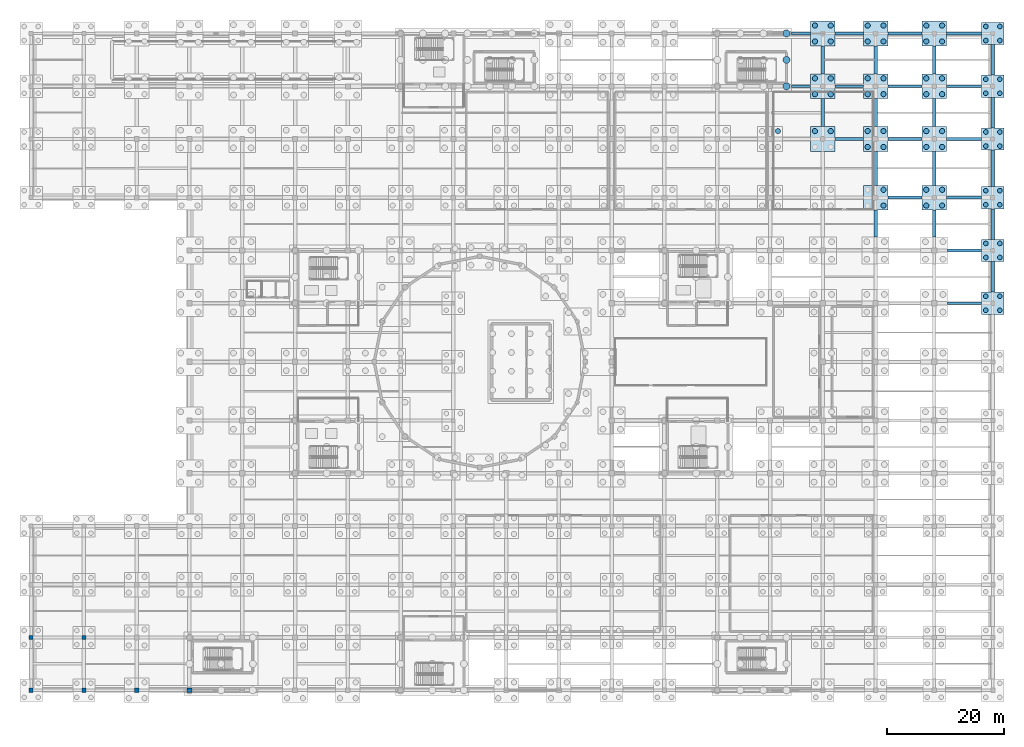
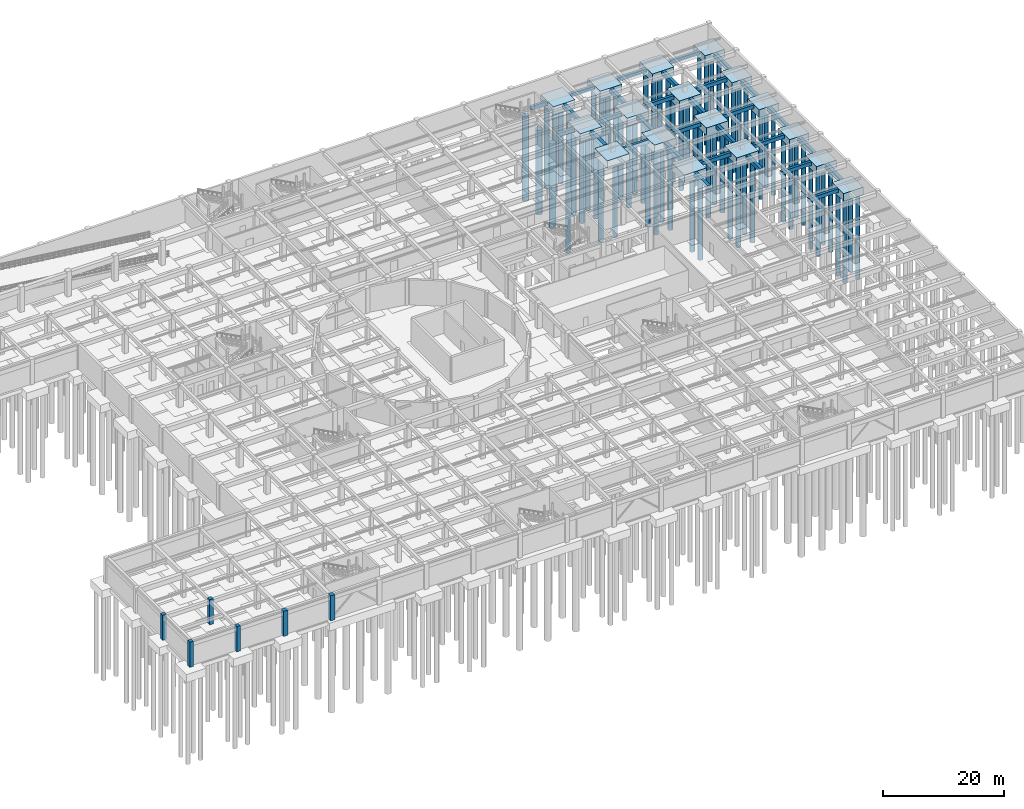
# One storey, part 11 of 62: 68 piles, 47 footings, 6 columns.
"""IFC4 building model written with IfcOpenShell, lengths in metres."""

from ifc_helpers import new_model, si_unit, direction, frame, origin, origin_2d, place, context, subcontext, project, spatial, polyline, rectangle, circle, outline, extrude, material, material_profile, profile_set, type_object, element, save


model = new_model("IFC4")

# Units and contexts
model_context = context("Model", 3, precision=1e-05, world=origin(), true_north=direction((0.0, 1.0)))
body_context = subcontext(model_context, "Body", "Model", "MODEL_VIEW")
ifc_project = project(units=[si_unit("LENGTHUNIT", "METRE"), si_unit("AREAUNIT", "SQUARE_METRE"), si_unit("VOLUMEUNIT", "CUBIC_METRE"), si_unit("PLANEANGLEUNIT", "RADIAN"), si_unit("MASSUNIT", "GRAM", prefix="KILO")], contexts=[model_context])

# Site, building, storey
site_placement = place(None, origin())
site = spatial("IfcSite", under=ifc_project, at=site_placement, CompositionType="ELEMENT")
building_placement = place(site_placement, origin())
building = spatial("IfcBuilding", under=site, at=building_placement, Name="Miravela Opera House", CompositionType="ELEMENT")
storey_placement = place(building_placement, frame((0.0, 0.0, -5.10009765625)))
storey = spatial("IfcBuildingStorey", under=building, at=storey_placement, Name="B01", CompositionType="ELEMENT", Elevation=-5.10009765625)

# Footings
ifc_material_1 = material(Name="Concrete C35/45", Category="concrete")
footing_type_1 = type_object("IfcFootingType", Name="STR-GB-500X750", PredefinedType="FOOTING_BEAM", material=ifc_material_1)
footing_1_placement = place(storey_placement, frame((0.0, 0.0, -0.75)))
element("IfcFooting", 1, at=footing_1_placement, inside=storey, type_object=footing_type_1, Name="Seismic Grade Tie Beam GB-X-286", PredefinedType="FOOTING_BEAM", context=body_context, shape_type="SweptSolid", body=[
    extrude(outline(polyline([(156.300048828125, 65.75), (162.10009765625, 65.75), (162.10009765625, 66.25), (156.300048828125, 66.25), (156.300048828125, 65.75)])), origin(), (0.0, 0.0, 1.0), 0.75),
])
footing_2_placement = place(storey_placement, frame((0.0, 0.0, -0.75)))
element("IfcFooting", 2, at=footing_2_placement, inside=storey, type_object=footing_type_1, Name="Seismic Grade Tie Beam GB-X-300", PredefinedType="FOOTING_BEAM", context=body_context, shape_type="SweptSolid", body=[
    extrude(outline(polyline([(156.300048828125, 74.75), (162.10009765625, 74.75), (162.10009765625, 75.25), (156.300048828125, 75.25), (156.300048828125, 74.75)])), origin(), (0.0, 0.0, 1.0), 0.75),
])
footing_3_placement = place(storey_placement, frame((0.0, 0.0, -0.75)))
element("IfcFooting", 3, at=footing_3_placement, inside=storey, type_object=footing_type_1, Name="Seismic Grade Tie Beam GB-X-317", PredefinedType="FOOTING_BEAM", context=body_context, shape_type="SweptSolid", body=[
    extrude(outline(polyline([(146.10009765625, 83.75), (151.89990234375, 83.75), (151.89990234375, 84.25), (146.10009765625, 84.25), (146.10009765625, 83.75)])), origin(), (0.0, 0.0, 1.0), 0.75),
])
footing_4_placement = place(storey_placement, frame((0.0, 0.0, -0.75)))
element("IfcFooting", 4, at=footing_4_placement, inside=storey, type_object=footing_type_1, Name="Seismic Grade Tie Beam GB-X-318", PredefinedType="FOOTING_BEAM", context=body_context, shape_type="SweptSolid", body=[
    extrude(outline(polyline([(156.10009765625, 83.75), (162.10009765625, 83.75), (162.10009765625, 84.25), (156.10009765625, 84.25), (156.10009765625, 83.75)])), origin(), (0.0, 0.0, 1.0), 0.75),
])
footing_5_placement = place(storey_placement, frame((0.0, 0.0, -0.75)))
element("IfcFooting", 5, at=footing_5_placement, inside=storey, type_object=footing_type_1, Name="Seismic Grade Tie Beam GB-X-334", PredefinedType="FOOTING_BEAM", context=body_context, shape_type="SweptSolid", body=[
    extrude(outline(polyline([(137.10009765625, 93.75), (141.89990234375, 93.75), (141.89990234375, 94.25), (137.10009765625, 94.25), (137.10009765625, 93.75)])), origin(), (0.0, 0.0, 1.0), 0.75),
])
footing_6_placement = place(storey_placement, frame((0.0, 0.0, -0.75)))
element("IfcFooting", 6, at=footing_6_placement, inside=storey, type_object=footing_type_1, Name="Seismic Grade Tie Beam GB-X-335", PredefinedType="FOOTING_BEAM", context=body_context, shape_type="SweptSolid", body=[
    extrude(outline(polyline([(146.10009765625, 93.75), (151.89990234375, 93.75), (151.89990234375, 94.25), (146.10009765625, 94.25), (146.10009765625, 93.75)])), origin(), (0.0, 0.0, 1.0), 0.75),
])
footing_7_placement = place(storey_placement, frame((0.0, 0.0, -0.75)))
element("IfcFooting", 7, at=footing_7_placement, inside=storey, type_object=footing_type_1, Name="Seismic Grade Tie Beam GB-X-336", PredefinedType="FOOTING_BEAM", context=body_context, shape_type="SweptSolid", body=[
    extrude(outline(polyline([(156.10009765625, 93.75), (162.10009765625, 93.75), (162.10009765625, 94.25), (156.10009765625, 94.25), (156.10009765625, 93.75)])), origin(), (0.0, 0.0, 1.0), 0.75),
])
footing_8_placement = place(storey_placement, frame((0.0, 0.0, -0.75)))
element("IfcFooting", 8, at=footing_8_placement, inside=storey, type_object=footing_type_1, Name="Seismic Grade Tie Beam GB-X-348", PredefinedType="FOOTING_BEAM", context=body_context, shape_type="SweptSolid", body=[
    extrude(outline(polyline([(129.699951171875, 102.75), (132.89990234375, 102.75), (132.89990234375, 103.25), (129.699951171875, 103.25), (129.699951171875, 102.75)])), origin(), (0.0, 0.0, 1.0), 0.75),
])
footing_9_placement = place(storey_placement, frame((0.0, 0.0, -0.75)))
element("IfcFooting", 9, at=footing_9_placement, inside=storey, type_object=footing_type_1, Name="Seismic Grade Tie Beam GB-X-349", PredefinedType="FOOTING_BEAM", context=body_context, shape_type="SweptSolid", body=[
    extrude(outline(polyline([(137.10009765625, 102.75), (141.89990234375, 102.75), (141.89990234375, 103.25), (137.10009765625, 103.25), (137.10009765625, 102.75)])), origin(), (0.0, 0.0, 1.0), 0.75),
])
footing_10_placement = place(storey_placement, frame((0.0, 0.0, -0.75)))
element("IfcFooting", 10, at=footing_10_placement, inside=storey, type_object=footing_type_1, Name="Seismic Grade Tie Beam GB-X-350", PredefinedType="FOOTING_BEAM", context=body_context, shape_type="SweptSolid", body=[
    extrude(outline(polyline([(146.10009765625, 102.75), (151.89990234375, 102.75), (151.89990234375, 103.25), (146.10009765625, 103.25), (146.10009765625, 102.75)])), origin(), (0.0, 0.0, 1.0), 0.75),
])
footing_11_placement = place(storey_placement, frame((0.0, 0.0, -0.75)))
element("IfcFooting", 11, at=footing_11_placement, inside=storey, type_object=footing_type_1, Name="Seismic Grade Tie Beam GB-X-351", PredefinedType="FOOTING_BEAM", context=body_context, shape_type="SweptSolid", body=[
    extrude(outline(polyline([(156.10009765625, 102.75), (162.10009765625, 102.75), (162.10009765625, 103.25), (156.10009765625, 103.25), (156.10009765625, 102.75)])), origin(), (0.0, 0.0, 1.0), 0.75),
])
footing_12_placement = place(storey_placement, frame((0.0, 0.0, -0.75)))
element("IfcFooting", 12, at=footing_12_placement, inside=storey, type_object=footing_type_1, Name="Seismic Grade Tie Beam GB-X-363", PredefinedType="FOOTING_BEAM", context=body_context, shape_type="SweptSolid", body=[
    extrude(outline(polyline([(129.699951171875, 111.75), (132.89990234375, 111.75), (132.89990234375, 112.25), (129.699951171875, 112.25), (129.699951171875, 111.75)])), origin(), (0.0, 0.0, 1.0), 0.75),
])
footing_13_placement = place(storey_placement, frame((0.0, 0.0, -0.75)))
element("IfcFooting", 13, at=footing_13_placement, inside=storey, type_object=footing_type_1, Name="Seismic Grade Tie Beam GB-X-364", PredefinedType="FOOTING_BEAM", context=body_context, shape_type="SweptSolid", body=[
    extrude(outline(polyline([(137.10009765625, 111.75), (141.89990234375, 111.75), (141.89990234375, 112.25), (137.10009765625, 112.25), (137.10009765625, 111.75)])), origin(), (0.0, 0.0, 1.0), 0.75),
])
footing_14_placement = place(storey_placement, frame((0.0, 0.0, -0.75)))
element("IfcFooting", 14, at=footing_14_placement, inside=storey, type_object=footing_type_1, Name="Seismic Grade Tie Beam GB-X-365", PredefinedType="FOOTING_BEAM", context=body_context, shape_type="SweptSolid", body=[
    extrude(outline(polyline([(146.10009765625, 111.75), (151.89990234375, 111.75), (151.89990234375, 112.25), (146.10009765625, 112.25), (146.10009765625, 111.75)])), origin(), (0.0, 0.0, 1.0), 0.75),
])
footing_15_placement = place(storey_placement, frame((0.0, 0.0, -0.75)))
element("IfcFooting", 15, at=footing_15_placement, inside=storey, type_object=footing_type_1, Name="Seismic Grade Tie Beam GB-X-366", PredefinedType="FOOTING_BEAM", context=body_context, shape_type="SweptSolid", body=[
    extrude(outline(polyline([(156.10009765625, 111.75), (162.10009765625, 111.75), (162.10009765625, 112.25), (156.10009765625, 112.25), (156.10009765625, 111.75)])), origin(), (0.0, 0.0, 1.0), 0.75),
])
footing_type_2 = type_object("IfcFootingType", Name="STR-GB-600X800", PredefinedType="FOOTING_BEAM", material=ifc_material_1)
footing_16_placement = place(storey_placement, frame((0.0, 0.0, -0.7998046875)))
element("IfcFooting", 16, at=footing_16_placement, inside=storey, type_object=footing_type_2, Name="Seismic Grade Tie Beam GB-Y-142", PredefinedType="FOOTING_BEAM", context=body_context, shape_type="SweptSolid", body=[
    extrude(outline(polyline([(134.699951171875, 96.10009765625), (135.300048828125, 96.10009765625), (135.300048828125, 100.89990234375), (134.699951171875, 100.89990234375), (134.699951171875, 96.10009765625)])), origin(), (0.0, 0.0, 1.0), 0.7998046875),
])
footing_17_placement = place(storey_placement, frame((0.0, 0.0, -0.7998046875)))
element("IfcFooting", 17, at=footing_17_placement, inside=storey, type_object=footing_type_2, Name="Seismic Grade Tie Beam GB-Y-143", PredefinedType="FOOTING_BEAM", context=body_context, shape_type="SweptSolid", body=[
    extrude(outline(polyline([(134.699951171875, 105.10009765625), (135.300048828125, 105.10009765625), (135.300048828125, 109.89990234375), (134.699951171875, 109.89990234375), (134.699951171875, 105.10009765625)])), origin(), (0.0, 0.0, 1.0), 0.7998046875),
])
footing_18_placement = place(storey_placement, frame((0.0, 0.0, -0.7998046875)))
element("IfcFooting", 18, at=footing_18_placement, inside=storey, type_object=footing_type_2, Name="Seismic Grade Tie Beam GB-Y-152", PredefinedType="FOOTING_BEAM", context=body_context, shape_type="SweptSolid", body=[
    extrude(outline(polyline([(143.699951171875, 77.300048828125), (144.300048828125, 77.300048828125), (144.300048828125, 81.89990234375), (143.699951171875, 81.89990234375), (143.699951171875, 77.300048828125)])), origin(), (0.0, 0.0, 1.0), 0.7998046875),
])
footing_19_placement = place(storey_placement, frame((0.0, 0.0, -0.7998046875)))
element("IfcFooting", 19, at=footing_19_placement, inside=storey, type_object=footing_type_2, Name="Seismic Grade Tie Beam GB-Y-153", PredefinedType="FOOTING_BEAM", context=body_context, shape_type="SweptSolid", body=[
    extrude(outline(polyline([(143.699951171875, 86.10009765625), (144.300048828125, 86.10009765625), (144.300048828125, 91.89990234375), (143.699951171875, 91.89990234375), (143.699951171875, 86.10009765625)])), origin(), (0.0, 0.0, 1.0), 0.7998046875),
])
footing_20_placement = place(storey_placement, frame((0.0, 0.0, -0.7998046875)))
element("IfcFooting", 20, at=footing_20_placement, inside=storey, type_object=footing_type_2, Name="Seismic Grade Tie Beam GB-Y-154", PredefinedType="FOOTING_BEAM", context=body_context, shape_type="SweptSolid", body=[
    extrude(outline(polyline([(143.699951171875, 96.10009765625), (144.300048828125, 96.10009765625), (144.300048828125, 100.89990234375), (143.699951171875, 100.89990234375), (143.699951171875, 96.10009765625)])), origin(), (0.0, 0.0, 1.0), 0.7998046875),
])
footing_21_placement = place(storey_placement, frame((0.0, 0.0, -0.7998046875)))
element("IfcFooting", 21, at=footing_21_placement, inside=storey, type_object=footing_type_2, Name="Seismic Grade Tie Beam GB-Y-155", PredefinedType="FOOTING_BEAM", context=body_context, shape_type="SweptSolid", body=[
    extrude(outline(polyline([(143.699951171875, 105.10009765625), (144.300048828125, 105.10009765625), (144.300048828125, 109.89990234375), (143.699951171875, 109.89990234375), (143.699951171875, 105.10009765625)])), origin(), (0.0, 0.0, 1.0), 0.7998046875),
])
footing_22_placement = place(storey_placement, frame((0.0, 0.0, -0.7998046875)))
element("IfcFooting", 22, at=footing_22_placement, inside=storey, type_object=footing_type_2, Name="Seismic Grade Tie Beam GB-Y-164", PredefinedType="FOOTING_BEAM", context=body_context, shape_type="SweptSolid", body=[
    extrude(outline(polyline([(153.699951171875, 77.300048828125), (154.300048828125, 77.300048828125), (154.300048828125, 81.89990234375), (153.699951171875, 81.89990234375), (153.699951171875, 77.300048828125)])), origin(), (0.0, 0.0, 1.0), 0.7998046875),
])
footing_23_placement = place(storey_placement, frame((0.0, 0.0, -0.7998046875)))
element("IfcFooting", 23, at=footing_23_placement, inside=storey, type_object=footing_type_2, Name="Seismic Grade Tie Beam GB-Y-165", PredefinedType="FOOTING_BEAM", context=body_context, shape_type="SweptSolid", body=[
    extrude(outline(polyline([(153.699951171875, 86.10009765625), (154.300048828125, 86.10009765625), (154.300048828125, 91.89990234375), (153.699951171875, 91.89990234375), (153.699951171875, 86.10009765625)])), origin(), (0.0, 0.0, 1.0), 0.7998046875),
])
footing_24_placement = place(storey_placement, frame((0.0, 0.0, -0.7998046875)))
element("IfcFooting", 24, at=footing_24_placement, inside=storey, type_object=footing_type_2, Name="Seismic Grade Tie Beam GB-Y-166", PredefinedType="FOOTING_BEAM", context=body_context, shape_type="SweptSolid", body=[
    extrude(outline(polyline([(153.699951171875, 96.10009765625), (154.300048828125, 96.10009765625), (154.300048828125, 100.89990234375), (153.699951171875, 100.89990234375), (153.699951171875, 96.10009765625)])), origin(), (0.0, 0.0, 1.0), 0.7998046875),
])
footing_25_placement = place(storey_placement, frame((0.0, 0.0, -0.7998046875)))
element("IfcFooting", 25, at=footing_25_placement, inside=storey, type_object=footing_type_2, Name="Seismic Grade Tie Beam GB-Y-167", PredefinedType="FOOTING_BEAM", context=body_context, shape_type="SweptSolid", body=[
    extrude(outline(polyline([(153.699951171875, 105.10009765625), (154.300048828125, 105.10009765625), (154.300048828125, 109.89990234375), (153.699951171875, 109.89990234375), (153.699951171875, 105.10009765625)])), origin(), (0.0, 0.0, 1.0), 0.7998046875),
])
footing_26_placement = place(storey_placement, frame((0.0, 0.0, -0.7998046875)))
element("IfcFooting", 26, at=footing_26_placement, inside=storey, type_object=footing_type_2, Name="Seismic Grade Tie Beam GB-Y-175", PredefinedType="FOOTING_BEAM", context=body_context, shape_type="SweptSolid", body=[
    extrude(outline(polyline([(163.699951171875, 67.89990234375), (164.300048828125, 67.89990234375), (164.300048828125, 73.10009765625), (163.699951171875, 73.10009765625), (163.699951171875, 67.89990234375)])), origin(), (0.0, 0.0, 1.0), 0.7998046875),
])
footing_27_placement = place(storey_placement, frame((0.0, 0.0, -0.7998046875)))
element("IfcFooting", 27, at=footing_27_placement, inside=storey, type_object=footing_type_2, Name="Seismic Grade Tie Beam GB-Y-176", PredefinedType="FOOTING_BEAM", context=body_context, shape_type="SweptSolid", body=[
    extrude(outline(polyline([(163.699951171875, 76.89990234375), (164.300048828125, 76.89990234375), (164.300048828125, 82.10009765625), (163.699951171875, 82.10009765625), (163.699951171875, 76.89990234375)])), origin(), (0.0, 0.0, 1.0), 0.7998046875),
])
footing_28_placement = place(storey_placement, frame((0.0, 0.0, -0.7998046875)))
element("IfcFooting", 28, at=footing_28_placement, inside=storey, type_object=footing_type_2, Name="Seismic Grade Tie Beam GB-Y-177", PredefinedType="FOOTING_BEAM", context=body_context, shape_type="SweptSolid", body=[
    extrude(outline(polyline([(163.699951171875, 85.89990234375), (164.300048828125, 85.89990234375), (164.300048828125, 92.10009765625), (163.699951171875, 92.10009765625), (163.699951171875, 85.89990234375)])), origin(), (0.0, 0.0, 1.0), 0.7998046875),
])
footing_29_placement = place(storey_placement, frame((0.0, 0.0, -0.7998046875)))
element("IfcFooting", 29, at=footing_29_placement, inside=storey, type_object=footing_type_2, Name="Seismic Grade Tie Beam GB-Y-178", PredefinedType="FOOTING_BEAM", context=body_context, shape_type="SweptSolid", body=[
    extrude(outline(polyline([(163.699951171875, 95.89990234375), (164.300048828125, 95.89990234375), (164.300048828125, 101.10009765625), (163.699951171875, 101.10009765625), (163.699951171875, 95.89990234375)])), origin(), (0.0, 0.0, 1.0), 0.7998046875),
])
footing_30_placement = place(storey_placement, frame((0.0, 0.0, -0.7998046875)))
element("IfcFooting", 30, at=footing_30_placement, inside=storey, type_object=footing_type_2, Name="Seismic Grade Tie Beam GB-Y-179", PredefinedType="FOOTING_BEAM", context=body_context, shape_type="SweptSolid", body=[
    extrude(outline(polyline([(163.699951171875, 104.89990234375), (164.300048828125, 104.89990234375), (164.300048828125, 110.10009765625), (163.699951171875, 110.10009765625), (163.699951171875, 104.89990234375)])), origin(), (0.0, 0.0, 1.0), 0.7998046875),
])
footing_type_3 = type_object("IfcFootingType", Name="STR-PC-3800X3800X1600", PredefinedType="PILE_CAP", material=ifc_material_1)
for number, where, z_axis, x_axis, name in (
    (31, (164.0, 66.0, -1.599853515625), (0.0, 0.0, 1.0), (1.0, 0.0, 0.0), "Pile Cap PC-B01-194 (PC-01)"),
    (32, (164.0, 75.0, -1.599853515625), (0.0, 0.0, 1.0), (1.0, 0.0, 0.0), "Pile Cap PC-B01-195 (PC-01)"),
    (33, (164.0, 84.0, -1.599853515625), (0.0, 0.0, 1.0), (1.0, 0.0, 0.0), "Pile Cap PC-B01-196 (PC-01)"),
    (34, (164.0, 94.0, -1.599853515625), (0.0, 0.0, 1.0), (1.0, 0.0, 0.0), "Pile Cap PC-B01-197 (PC-01)"),
    (35, (164.0, 103.0, -1.599853515625), (0.0, 0.0, 1.0), (1.0, 0.0, 0.0), "Pile Cap PC-B01-198 (PC-01)"),
    (36, (164.0, 112.0, -1.599853515625), (0.0, 0.0, 1.0), (1.0, 0.0, 0.0), "Pile Cap PC-B01-199 (PC-01)"),
):
    element("IfcFooting", number, at=place(storey_placement, frame(where, z_axis=z_axis, x_axis=x_axis)), inside=storey, type_object=footing_type_3, Name=name, PredefinedType="PILE_CAP", context=body_context, shape_type="SweptSolid", body=[
        extrude(rectangle(XDim=3.800048828125, YDim=3.800048828125, at=origin_2d()), origin(), (0.0, 0.0, 1.0), 1.60009765625),
    ])
footing_type_4 = type_object("IfcFootingType", Name="STR-PC-4200X4200X1600", PredefinedType="PILE_CAP", material=ifc_material_1)
for number, where, z_axis, x_axis, name in (
    (37, (135.0, 94.0, -1.599853515625), (0.0, 0.0, 1.0), (1.0, 0.0, 0.0), "Pile Cap PC-B01-158 (PC-02)"),
    (38, (135.0, 103.0, -1.599853515625), (0.0, 0.0, 1.0), (1.0, 0.0, 0.0), "Pile Cap PC-B01-159 (PC-02)"),
    (39, (135.0, 112.0, -1.599853515625), (0.0, 0.0, 1.0), (1.0, 0.0, 0.0), "Pile Cap PC-B01-160 (PC-02)"),
    (40, (144.0, 84.0, -1.599853515625), (0.0, 0.0, 1.0), (1.0, 0.0, 0.0), "Pile Cap PC-B01-170 (PC-02)"),
    (41, (144.0, 94.0, -1.599853515625), (0.0, 0.0, 1.0), (1.0, 0.0, 0.0), "Pile Cap PC-B01-171 (PC-02)"),
    (42, (144.0, 103.0, -1.599853515625), (0.0, 0.0, 1.0), (1.0, 0.0, 0.0), "Pile Cap PC-B01-172 (PC-02)"),
    (43, (144.0, 112.0, -1.599853515625), (0.0, 0.0, 1.0), (1.0, 0.0, 0.0), "Pile Cap PC-B01-173 (PC-02)"),
    (44, (154.0, 84.0, -1.599853515625), (0.0, 0.0, 1.0), (1.0, 0.0, 0.0), "Pile Cap PC-B01-183 (PC-02)"),
    (45, (154.0, 94.0, -1.599853515625), (0.0, 0.0, 1.0), (1.0, 0.0, 0.0), "Pile Cap PC-B01-184 (PC-02)"),
    (46, (154.0, 103.0, -1.599853515625), (0.0, 0.0, 1.0), (1.0, 0.0, 0.0), "Pile Cap PC-B01-185 (PC-02)"),
    (47, (154.0, 112.0, -1.599853515625), (0.0, 0.0, 1.0), (1.0, 0.0, 0.0), "Pile Cap PC-B01-186 (PC-02)"),
):
    element("IfcFooting", number, at=place(storey_placement, frame(where, z_axis=z_axis, x_axis=x_axis)), inside=storey, type_object=footing_type_4, Name=name, PredefinedType="PILE_CAP", context=body_context, shape_type="SweptSolid", body=[
        extrude(rectangle(XDim=4.199951171875, YDim=4.199951171875, at=origin_2d()), origin(), (0.0, 0.0, 1.0), 1.60009765625),
    ])

# Piles
ifc_material_profile_1 = material_profile(ifc_material_1, circle(Radius=0.60009765625, at=origin_2d()), Name="PILE-D1200")
ifc_profile_set_1 = profile_set([ifc_material_profile_1])
pile_type_1 = type_object("IfcPileType", Name="STR-PILE-D1200", PredefinedType="BORED", material=ifc_profile_set_1)
for number, where, z_axis, x_axis, name in (
    (48, (128.800048828125, 103.0, -1.449951171875), (0.0, 0.0, -1.0), (1.0, 0.0, 0.0), "Bored Pile P-621"),
    (49, (128.800048828125, 107.5, -1.449951171875), (0.0, 0.0, -1.0), (1.0, 0.0, 0.0), "Bored Pile P-622"),
    (50, (128.800048828125, 112.0, -1.449951171875), (0.0, 0.0, -1.0), (1.0, 0.0, 0.0), "Bored Pile P-623"),
):
    element("IfcPile", number, at=place(storey_placement, frame(where, z_axis=z_axis, x_axis=x_axis)), inside=storey, type_object=pile_type_1, Name=name, PredefinedType="BORED", context=body_context, shape_type="SweptSolid", body=[
        extrude(circle(Radius=0.60009765625, at=origin_2d()), origin(), (0.0, 0.0, 1.0), 17.14990234375),
    ])
ifc_material_profile_2 = material_profile(ifc_material_1, circle(Radius=0.39990234375, at=origin_2d()), Name="PILE-D800")
ifc_profile_set_2 = profile_set([ifc_material_profile_2])
pile_type_2 = type_object("IfcPileType", Name="STR-PILE-D800", PredefinedType="BORED", material=ifc_profile_set_2)
for number, where, z_axis, x_axis, name in (
    (51, (162.800048828125, 64.800048828125, -1.449951171875), (0.0, 0.0, -1.0), (1.0, 0.0, 0.0), "Bored Pile P-840"),
    (52, (162.800048828125, 67.199951171875, -1.449951171875), (0.0, 0.0, -1.0), (1.0, 0.0, 0.0), "Bored Pile P-841"),
    (53, (165.199951171875, 64.800048828125, -1.449951171875), (0.0, 0.0, -1.0), (1.0, 0.0, 0.0), "Bored Pile P-842"),
    (54, (165.199951171875, 67.199951171875, -1.449951171875), (0.0, 0.0, -1.0), (1.0, 0.0, 0.0), "Bored Pile P-843"),
    (55, (162.800048828125, 73.800048828125, -1.449951171875), (0.0, 0.0, -1.0), (1.0, 0.0, 0.0), "Bored Pile P-844"),
    (56, (162.800048828125, 76.199951171875, -1.449951171875), (0.0, 0.0, -1.0), (1.0, 0.0, 0.0), "Bored Pile P-845"),
    (57, (165.199951171875, 73.800048828125, -1.449951171875), (0.0, 0.0, -1.0), (1.0, 0.0, 0.0), "Bored Pile P-846"),
    (58, (165.199951171875, 76.199951171875, -1.449951171875), (0.0, 0.0, -1.0), (1.0, 0.0, 0.0), "Bored Pile P-847"),
    (59, (162.800048828125, 82.800048828125, -1.449951171875), (0.0, 0.0, -1.0), (1.0, 0.0, 0.0), "Bored Pile P-848"),
    (60, (162.800048828125, 85.199951171875, -1.449951171875), (0.0, 0.0, -1.0), (1.0, 0.0, 0.0), "Bored Pile P-849"),
    (61, (165.199951171875, 82.800048828125, -1.449951171875), (0.0, 0.0, -1.0), (1.0, 0.0, 0.0), "Bored Pile P-850"),
    (62, (165.199951171875, 85.199951171875, -1.449951171875), (0.0, 0.0, -1.0), (1.0, 0.0, 0.0), "Bored Pile P-851"),
    (63, (162.800048828125, 92.800048828125, -1.449951171875), (0.0, 0.0, -1.0), (1.0, 0.0, 0.0), "Bored Pile P-852"),
    (64, (162.800048828125, 95.199951171875, -1.449951171875), (0.0, 0.0, -1.0), (1.0, 0.0, 0.0), "Bored Pile P-853"),
    (65, (165.199951171875, 92.800048828125, -1.449951171875), (0.0, 0.0, -1.0), (1.0, 0.0, 0.0), "Bored Pile P-854"),
    (66, (165.199951171875, 95.199951171875, -1.449951171875), (0.0, 0.0, -1.0), (1.0, 0.0, 0.0), "Bored Pile P-855"),
    (67, (162.800048828125, 101.800048828125, -1.449951171875), (0.0, 0.0, -1.0), (1.0, 0.0, 0.0), "Bored Pile P-856"),
    (68, (162.800048828125, 104.199951171875, -1.449951171875), (0.0, 0.0, -1.0), (1.0, 0.0, 0.0), "Bored Pile P-857"),
    (69, (165.199951171875, 101.800048828125, -1.449951171875), (0.0, 0.0, -1.0), (1.0, 0.0, 0.0), "Bored Pile P-858"),
    (70, (165.199951171875, 104.199951171875, -1.449951171875), (0.0, 0.0, -1.0), (1.0, 0.0, 0.0), "Bored Pile P-859"),
    (71, (162.800048828125, 110.800048828125, -1.449951171875), (0.0, 0.0, -1.0), (1.0, 0.0, 0.0), "Bored Pile P-860"),
    (72, (162.800048828125, 113.199951171875, -1.449951171875), (0.0, 0.0, -1.0), (1.0, 0.0, 0.0), "Bored Pile P-861"),
    (73, (165.199951171875, 110.800048828125, -1.449951171875), (0.0, 0.0, -1.0), (1.0, 0.0, 0.0), "Bored Pile P-862"),
    (74, (165.199951171875, 113.199951171875, -1.449951171875), (0.0, 0.0, -1.0), (1.0, 0.0, 0.0), "Bored Pile P-863"),
):
    element("IfcPile", number, at=place(storey_placement, frame(where, z_axis=z_axis, x_axis=x_axis)), inside=storey, type_object=pile_type_2, Name=name, PredefinedType="BORED", context=body_context, shape_type="SweptSolid", body=[
        extrude(circle(Radius=0.39990234375, at=origin_2d()), origin(), (0.0, 0.0, 1.0), 17.14990234375),
    ])
ifc_material_profile_3 = material_profile(ifc_material_1, circle(Radius=0.449951171875, at=origin_2d()), Name="PILE-D900")
ifc_profile_set_3 = profile_set([ifc_material_profile_3])
pile_type_3 = type_object("IfcPileType", Name="STR-PILE-D900", PredefinedType="BORED", material=ifc_profile_set_3)
for number, where, z_axis, x_axis, name in (
    (75, (127.35009765625, 95.35009765625, -1.449951171875), (0.0, 0.0, -1.0), (1.0, 0.0, 0.0), "Bored Pile P-655"),
    (76, (133.64990234375, 95.35009765625, -1.449951171875), (0.0, 0.0, -1.0), (1.0, 0.0, 0.0), "Bored Pile P-697"),
    (77, (136.35009765625, 95.35009765625, -1.449951171875), (0.0, 0.0, -1.0), (1.0, 0.0, 0.0), "Bored Pile P-699"),
    (78, (133.64990234375, 101.64990234375, -1.449951171875), (0.0, 0.0, -1.0), (1.0, 0.0, 0.0), "Bored Pile P-700"),
    (79, (133.64990234375, 104.35009765625, -1.449951171875), (0.0, 0.0, -1.0), (1.0, 0.0, 0.0), "Bored Pile P-701"),
    (80, (136.35009765625, 101.64990234375, -1.449951171875), (0.0, 0.0, -1.0), (1.0, 0.0, 0.0), "Bored Pile P-702"),
    (81, (136.35009765625, 104.35009765625, -1.449951171875), (0.0, 0.0, -1.0), (1.0, 0.0, 0.0), "Bored Pile P-703"),
    (82, (133.64990234375, 110.64990234375, -1.449951171875), (0.0, 0.0, -1.0), (1.0, 0.0, 0.0), "Bored Pile P-704"),
    (83, (133.64990234375, 113.35009765625, -1.449951171875), (0.0, 0.0, -1.0), (1.0, 0.0, 0.0), "Bored Pile P-705"),
    (84, (136.35009765625, 110.64990234375, -1.449951171875), (0.0, 0.0, -1.0), (1.0, 0.0, 0.0), "Bored Pile P-706"),
    (85, (136.35009765625, 113.35009765625, -1.449951171875), (0.0, 0.0, -1.0), (1.0, 0.0, 0.0), "Bored Pile P-707"),
    (86, (145.35009765625, 82.64990234375, -1.449951171875), (0.0, 0.0, -1.0), (1.0, 0.0, 0.0), "Bored Pile P-746"),
    (87, (145.35009765625, 85.35009765625, -1.449951171875), (0.0, 0.0, -1.0), (1.0, 0.0, 0.0), "Bored Pile P-747"),
    (88, (142.64990234375, 92.64990234375, -1.449951171875), (0.0, 0.0, -1.0), (1.0, 0.0, 0.0), "Bored Pile P-748"),
    (89, (142.64990234375, 95.35009765625, -1.449951171875), (0.0, 0.0, -1.0), (1.0, 0.0, 0.0), "Bored Pile P-749"),
    (90, (145.35009765625, 92.64990234375, -1.449951171875), (0.0, 0.0, -1.0), (1.0, 0.0, 0.0), "Bored Pile P-750"),
    (91, (145.35009765625, 95.35009765625, -1.449951171875), (0.0, 0.0, -1.0), (1.0, 0.0, 0.0), "Bored Pile P-751"),
    (92, (142.64990234375, 101.64990234375, -1.449951171875), (0.0, 0.0, -1.0), (1.0, 0.0, 0.0), "Bored Pile P-752"),
    (93, (142.64990234375, 104.35009765625, -1.449951171875), (0.0, 0.0, -1.0), (1.0, 0.0, 0.0), "Bored Pile P-753"),
    (94, (145.35009765625, 101.64990234375, -1.449951171875), (0.0, 0.0, -1.0), (1.0, 0.0, 0.0), "Bored Pile P-754"),
    (95, (145.35009765625, 104.35009765625, -1.449951171875), (0.0, 0.0, -1.0), (1.0, 0.0, 0.0), "Bored Pile P-755"),
    (96, (142.64990234375, 110.64990234375, -1.449951171875), (0.0, 0.0, -1.0), (1.0, 0.0, 0.0), "Bored Pile P-756"),
    (97, (142.64990234375, 113.35009765625, -1.449951171875), (0.0, 0.0, -1.0), (1.0, 0.0, 0.0), "Bored Pile P-757"),
    (98, (145.35009765625, 110.64990234375, -1.449951171875), (0.0, 0.0, -1.0), (1.0, 0.0, 0.0), "Bored Pile P-758"),
    (99, (145.35009765625, 113.35009765625, -1.449951171875), (0.0, 0.0, -1.0), (1.0, 0.0, 0.0), "Bored Pile P-759"),
    (100, (152.64990234375, 82.64990234375, -1.449951171875), (0.0, 0.0, -1.0), (1.0, 0.0, 0.0), "Bored Pile P-796"),
    (101, (152.64990234375, 85.35009765625, -1.449951171875), (0.0, 0.0, -1.0), (1.0, 0.0, 0.0), "Bored Pile P-797"),
    (102, (155.35009765625, 82.64990234375, -1.449951171875), (0.0, 0.0, -1.0), (1.0, 0.0, 0.0), "Bored Pile P-798"),
    (103, (155.35009765625, 85.35009765625, -1.449951171875), (0.0, 0.0, -1.0), (1.0, 0.0, 0.0), "Bored Pile P-799"),
    (104, (152.64990234375, 92.64990234375, -1.449951171875), (0.0, 0.0, -1.0), (1.0, 0.0, 0.0), "Bored Pile P-800"),
    (105, (152.64990234375, 95.35009765625, -1.449951171875), (0.0, 0.0, -1.0), (1.0, 0.0, 0.0), "Bored Pile P-801"),
    (106, (155.35009765625, 92.64990234375, -1.449951171875), (0.0, 0.0, -1.0), (1.0, 0.0, 0.0), "Bored Pile P-802"),
    (107, (155.35009765625, 95.35009765625, -1.449951171875), (0.0, 0.0, -1.0), (1.0, 0.0, 0.0), "Bored Pile P-803"),
    (108, (152.64990234375, 101.64990234375, -1.449951171875), (0.0, 0.0, -1.0), (1.0, 0.0, 0.0), "Bored Pile P-804"),
    (109, (152.64990234375, 104.35009765625, -1.449951171875), (0.0, 0.0, -1.0), (1.0, 0.0, 0.0), "Bored Pile P-805"),
    (110, (155.35009765625, 101.64990234375, -1.449951171875), (0.0, 0.0, -1.0), (1.0, 0.0, 0.0), "Bored Pile P-806"),
    (111, (155.35009765625, 104.35009765625, -1.449951171875), (0.0, 0.0, -1.0), (1.0, 0.0, 0.0), "Bored Pile P-807"),
    (112, (152.64990234375, 110.64990234375, -1.449951171875), (0.0, 0.0, -1.0), (1.0, 0.0, 0.0), "Bored Pile P-808"),
    (113, (152.64990234375, 113.35009765625, -1.449951171875), (0.0, 0.0, -1.0), (1.0, 0.0, 0.0), "Bored Pile P-809"),
    (114, (155.35009765625, 110.64990234375, -1.449951171875), (0.0, 0.0, -1.0), (1.0, 0.0, 0.0), "Bored Pile P-810"),
    (115, (155.35009765625, 113.35009765625, -1.449951171875), (0.0, 0.0, -1.0), (1.0, 0.0, 0.0), "Bored Pile P-811"),
):
    element("IfcPile", number, at=place(storey_placement, frame(where, z_axis=z_axis, x_axis=x_axis)), inside=storey, type_object=pile_type_3, Name=name, PredefinedType="BORED", context=body_context, shape_type="SweptSolid", body=[
        extrude(circle(Radius=0.449951171875, at=origin_2d()), origin(), (0.0, 0.0, 1.0), 17.14990234375),
    ])

# Columns
ifc_material_profile_4 = material_profile(ifc_material_1, rectangle(XDim=0.699951171875, YDim=0.699951171875, at=origin_2d()), Name="RC-COL-700X700")
ifc_profile_set_4 = profile_set([ifc_material_profile_4])
column_type_1 = type_object("IfcColumnType", Name="STR-COL-RC700", PredefinedType="COLUMN", material=ifc_profile_set_4)
for number, where, z_axis, x_axis, name in (
    (116, (0.0, 0.0, 0.0), (0.0, 0.0, 1.0), (1.0, 0.0, 0.0), "Column C-1A (B01)"),
    (117, (0.0, 9.0, 0.0), (0.0, 0.0, 1.0), (1.0, 0.0, 0.0), "Column C-1B (B01)"),
    (118, (9.0, 0.0, 0.0), (0.0, 0.0, 1.0), (1.0, 0.0, 0.0), "Column C-2A (B01)"),
    (119, (9.0, 9.0, 0.0), (0.0, 0.0, 1.0), (1.0, 0.0, 0.0), "Column C-2B (B01)"),
):
    element("IfcColumn", number, at=place(storey_placement, frame(where, z_axis=z_axis, x_axis=x_axis)), inside=storey, type_object=column_type_1, Name=name, PredefinedType="COLUMN", context=body_context, shape_type="SweptSolid", body=[
        extrude(rectangle(XDim=0.699951171875, YDim=0.699951171875, at=origin_2d()), origin(), (0.0, 0.0, 1.0), 5.10009765625),
    ])
ifc_material_2 = material(Name="Concrete C40/50", Category="concrete")
ifc_material_profile_5 = material_profile(ifc_material_2, rectangle(XDim=0.800048828125, YDim=0.800048828125, at=origin_2d()), Name="RC-COL-800X800")
ifc_profile_set_5 = profile_set([ifc_material_profile_5])
column_type_2 = type_object("IfcColumnType", Name="STR-COL-RC800", PredefinedType="COLUMN", material=ifc_profile_set_5)
for number, where, z_axis, x_axis, name in (
    (120, (18.0, 0.0, 0.0), (0.0, 0.0, 1.0), (1.0, 0.0, 0.0), "Column C-3A (B01)"),
    (121, (27.0, 0.0, 0.0), (0.0, 0.0, 1.0), (1.0, 0.0, 0.0), "Column C-4A (B01)"),
):
    element("IfcColumn", number, at=place(storey_placement, frame(where, z_axis=z_axis, x_axis=x_axis)), inside=storey, type_object=column_type_2, Name=name, PredefinedType="COLUMN", context=body_context, shape_type="SweptSolid", body=[
        extrude(rectangle(XDim=0.800048828125, YDim=0.800048828125, at=origin_2d()), origin(), (0.0, 0.0, 1.0), 5.10009765625),
    ])

save(model, "model.ifc")
